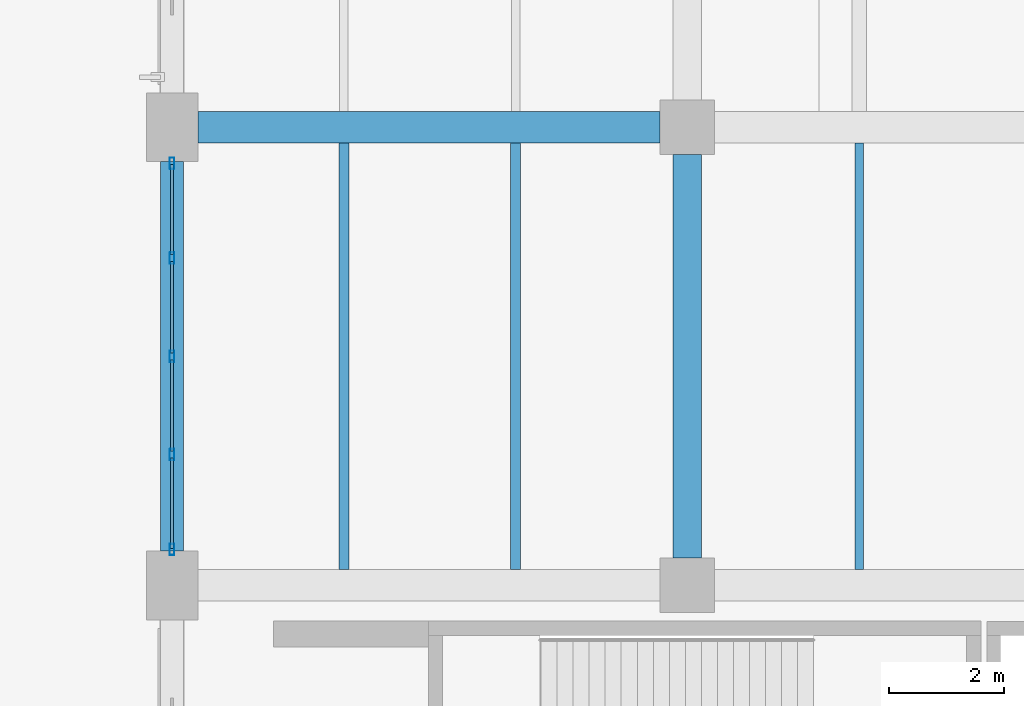
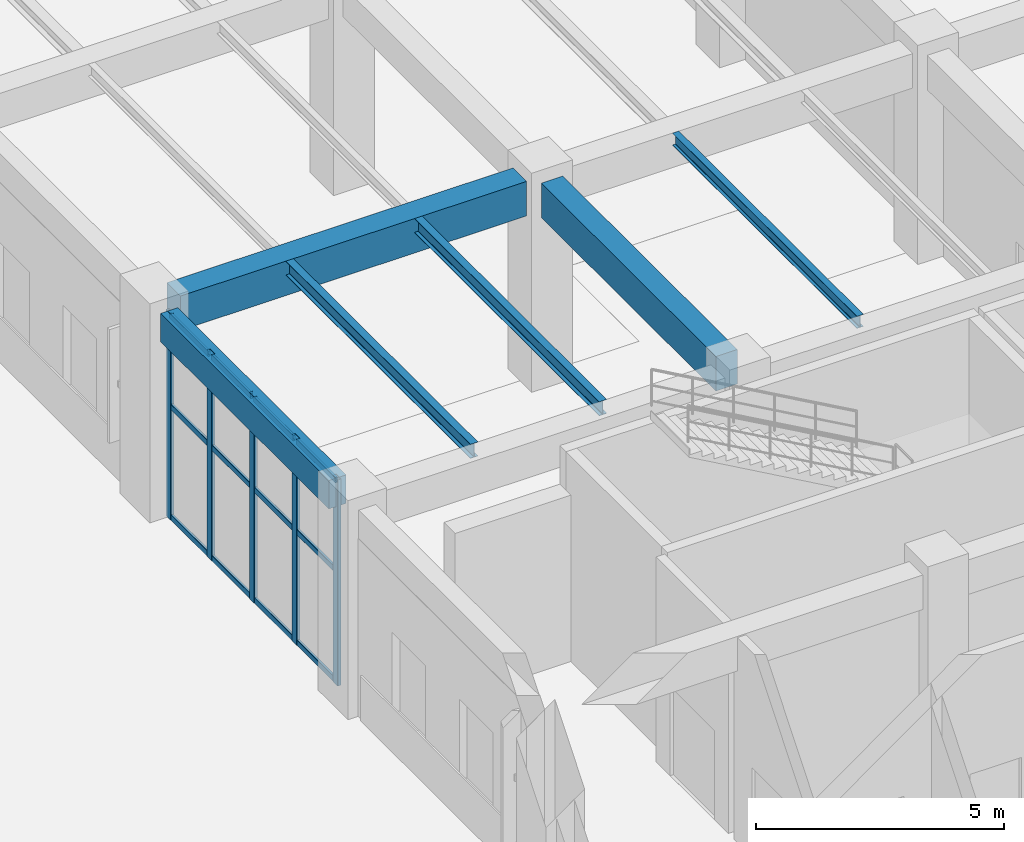
# One storey, part 69 of 121: 17 members, 6 beams, 1 element without a shape of its own.
"""IFC4 building model written with IfcOpenShell, lengths in metres."""

from ifc_helpers import new_model, si_unit, derived_unit, direction, frame, origin, origin_2d, place, context, subcontext, project, spatial, rectangle, hollow_rectangle, i_section, extrude, material, material_profile, profile_set, type_object, element, aggregate, save


model = new_model("IFC4")

# Units and contexts
model_context = context("Model", 3, precision=1e-05, world=origin(), true_north=direction((0.0, 1.0)))
body_context = subcontext(model_context, "Body", "Model", "MODEL_VIEW")
ifc_project = project(units=[si_unit("LENGTHUNIT", "METRE"), si_unit("AREAUNIT", "SQUARE_METRE"), si_unit("VOLUMEUNIT", "CUBIC_METRE"), si_unit("PLANEANGLEUNIT", "RADIAN"), si_unit("MASSUNIT", "GRAM", prefix="KILO"), derived_unit("THERMALTRANSMITTANCEUNIT", [(si_unit("MASSUNIT", "GRAM", prefix="KILO"), 1), (si_unit("TIMEUNIT", "SECOND"), -3), (si_unit("THERMODYNAMICTEMPERATUREUNIT", "KELVIN"), -1)])], contexts=[model_context])

# Site, building, storey
site_placement = place(None, origin())
site = spatial("IfcSite", under=ifc_project, at=site_placement, CompositionType="ELEMENT")
building_placement = place(site_placement, origin())
building = spatial("IfcBuilding", under=site, at=building_placement, Name="Zhenchuan Archway Interchange", CompositionType="ELEMENT")
storey_placement = place(building_placement, origin())
storey = spatial("IfcBuildingStorey", under=building, at=storey_placement, Name="L00", CompositionType="ELEMENT", Elevation=0.0)

# Beams
ifc_material_1 = material(Name="Concrete C40", Category="concrete")
ifc_material_profile_1 = material_profile(ifc_material_1, rectangle(XDim=0.5, YDim=0.85009765625, at=origin_2d()), Name="RC 500x850")
ifc_profile_set_1 = profile_set([ifc_material_profile_1], Name="Concrete C40")
beam_type_1 = type_object("IfcBeamType", Name="BM_RC_500x850", PredefinedType="BEAM", material=ifc_profile_set_1)
beam_1_placement = place(storey_placement, frame((153.0, 64.47509765625, 4.655029296875), z_axis=(0.0, 1.0, 0.0), x_axis=(-1.0, 0.0, 0.0)))
element("IfcBeam", 1, at=beam_1_placement, inside=storey, type_object=beam_type_1, Name="Beam 18:J-K (L00)", PredefinedType="BEAM", context=body_context, shape_type="SweptSolid", body=[
    extrude(rectangle(XDim=0.5, YDim=0.85009765625, at=origin_2d()), origin(), (0.0, 0.0, 1.0), 7.0498046875),
])
ifc_material_profile_2 = material_profile(ifc_material_1, rectangle(XDim=0.550048828125, YDim=0.85009765625, at=origin_2d()), Name="RC 550x850")
ifc_profile_set_2 = profile_set([ifc_material_profile_2], Name="Concrete C40")
beam_type_2 = type_object("IfcBeamType", Name="BM_RC_550x850", PredefinedType="BEAM", material=ifc_profile_set_2)
beam_2_placement = place(storey_placement, frame((144.449951171875, 72.0, 4.655029296875), z_axis=(1.0, 0.0, 0.0), x_axis=(0.0, 1.0, 0.0)))
element("IfcBeam", 2, at=beam_2_placement, inside=storey, type_object=beam_type_2, Name="Beam K:17-18 (L00)", PredefinedType="BEAM", context=body_context, shape_type="SweptSolid", body=[
    extrude(rectangle(XDim=0.550048828125, YDim=0.85009765625, at=origin_2d()), origin(), (0.0, 0.0, 1.0), 8.074951171875),
])

# Curtain wall, members
ifc_material_2 = material(Name="Anodised Aluminium", Category="aluminium")
curtain_wall_type = type_object("IfcCurtainWallType", Name="CW_UNIT_3", PredefinedType="NOTDEFINED", material=ifc_material_2)
curtain_wall_placement = place(storey_placement, origin())
curtain_wall = element("IfcCurtainWall", 3, at=curtain_wall_placement, inside=storey, type_object=curtain_wall_type, Name="Unitised curtain wall CW:L00:022", PredefinedType="NOTDEFINED")
ifc_material_profile_3 = material_profile(ifc_material_2, hollow_rectangle(XDim=0.080078125, YDim=0.199951171875, WallThickness=0.00439453125, InnerFilletRadius=0.00439453125, OuterFilletRadius=0.009033203125, at=origin_2d()), Name="ALU 200x80x4.5")
ifc_profile_set_3 = profile_set([ifc_material_profile_3], Name="Anodised Aluminium")
member_type_1 = type_object("IfcMemberType", Name="CW_MUL_200", PredefinedType="MULLION", material=ifc_profile_set_3)
member_1_placement = place(storey_placement, frame((144.0, 64.6279296875, 0.0), z_axis=(0.0, 0.0, 1.0), x_axis=(1.0, 0.0, 0.0)))
member_1 = element("IfcMember", 4, at=member_1_placement, type_object=member_type_1, Name="CW:L00:022 mullion 0", PredefinedType="MULLION", context=body_context, shape_type="SweptSolid", body=[
    extrude(hollow_rectangle(XDim=0.080078125, YDim=0.199951171875, WallThickness=0.00439453125, InnerFilletRadius=0.00439453125, OuterFilletRadius=0.009033203125, at=origin_2d()), origin(), (0.0, 0.0, 1.0), 5.080078125),
])
member_2_placement = place(storey_placement, frame((144.0, 66.283935546875, 0.0), z_axis=(0.0, 0.0, 1.0), x_axis=(1.0, 0.0, 0.0)))
member_2 = element("IfcMember", 5, at=member_2_placement, type_object=member_type_1, Name="CW:L00:022 mullion 1", PredefinedType="MULLION", context=body_context, shape_type="SweptSolid", body=[
    extrude(hollow_rectangle(XDim=0.080078125, YDim=0.199951171875, WallThickness=0.00439453125, InnerFilletRadius=0.00439453125, OuterFilletRadius=0.009033203125, at=origin_2d()), origin(), (0.0, 0.0, 1.0), 5.080078125),
])
member_3_placement = place(storey_placement, frame((144.0, 68.0, 0.0), z_axis=(0.0, 0.0, 1.0), x_axis=(1.0, 0.0, 0.0)))
member_3 = element("IfcMember", 6, at=member_3_placement, type_object=member_type_1, Name="CW:L00:022 mullion 2", PredefinedType="MULLION", context=body_context, shape_type="SweptSolid", body=[
    extrude(hollow_rectangle(XDim=0.080078125, YDim=0.199951171875, WallThickness=0.00439453125, InnerFilletRadius=0.00439453125, OuterFilletRadius=0.009033203125, at=origin_2d()), origin(), (0.0, 0.0, 1.0), 5.080078125),
])
member_4_placement = place(storey_placement, frame((144.0, 69.716064453125, 0.0), z_axis=(0.0, 0.0, 1.0), x_axis=(1.0, 0.0, 0.0)))
member_4 = element("IfcMember", 7, at=member_4_placement, type_object=member_type_1, Name="CW:L00:022 mullion 3", PredefinedType="MULLION", context=body_context, shape_type="SweptSolid", body=[
    extrude(hollow_rectangle(XDim=0.080078125, YDim=0.199951171875, WallThickness=0.00439453125, InnerFilletRadius=0.00439453125, OuterFilletRadius=0.009033203125, at=origin_2d()), origin(), (0.0, 0.0, 1.0), 5.080078125),
])
member_5_placement = place(storey_placement, frame((144.0, 71.3720703125, 0.0), z_axis=(0.0, 0.0, 1.0), x_axis=(1.0, 0.0, 0.0)))
member_5 = element("IfcMember", 8, at=member_5_placement, type_object=member_type_1, Name="CW:L00:022 mullion 4", PredefinedType="MULLION", context=body_context, shape_type="SweptSolid", body=[
    extrude(hollow_rectangle(XDim=0.080078125, YDim=0.199951171875, WallThickness=0.00439453125, InnerFilletRadius=0.00439453125, OuterFilletRadius=0.009033203125, at=origin_2d()), origin(), (0.0, 0.0, 1.0), 5.080078125),
])
ifc_material_profile_4 = material_profile(ifc_material_2, hollow_rectangle(XDim=0.06005859375, YDim=0.139892578125, WallThickness=0.00341796875, InnerFilletRadius=0.00341796875, OuterFilletRadius=0.007080078125, at=origin_2d()), Name="ALU 140x60x3.5")
ifc_profile_set_4 = profile_set([ifc_material_profile_4], Name="Anodised Aluminium")
member_type_2 = type_object("IfcMemberType", Name="CW_TRN_140", PredefinedType="USERDEFINED", material=ifc_profile_set_4)
member_6_placement = place(storey_placement, frame((144.0, 64.64794921875, 0.06005859375), z_axis=(0.0, 1.0, 0.0), x_axis=(-1.0, 0.0, 0.0)))
member_6 = element("IfcMember", 9, at=member_6_placement, type_object=member_type_2, Name="CW:L00:022 transom 0-1", ObjectType="TRANSOM", PredefinedType="USERDEFINED", context=body_context, shape_type="SweptSolid", body=[
    extrude(hollow_rectangle(XDim=0.06005859375, YDim=0.139892578125, WallThickness=0.00341796875, InnerFilletRadius=0.00341796875, OuterFilletRadius=0.007080078125, at=origin_2d()), origin(), (0.0, 0.0, 1.0), 1.576171875),
])
member_7_placement = place(storey_placement, frame((144.0, 64.64794921875, 2.782958984375), z_axis=(0.0, 1.0, 0.0), x_axis=(-1.0, 0.0, 0.0)))
member_7 = element("IfcMember", 10, at=member_7_placement, type_object=member_type_2, Name="CW:L00:022 transom 0-2", ObjectType="TRANSOM", PredefinedType="USERDEFINED", context=body_context, shape_type="SweptSolid", body=[
    extrude(hollow_rectangle(XDim=0.06005859375, YDim=0.139892578125, WallThickness=0.00341796875, InnerFilletRadius=0.00341796875, OuterFilletRadius=0.007080078125, at=origin_2d()), origin(), (0.0, 0.0, 1.0), 1.576171875),
])
member_8_placement = place(storey_placement, frame((144.0, 64.64794921875, 5.0), z_axis=(0.0, 1.0, 0.0), x_axis=(-1.0, 0.0, 0.0)))
member_8 = element("IfcMember", 11, at=member_8_placement, type_object=member_type_2, Name="CW:L00:022 transom 0-3", ObjectType="TRANSOM", PredefinedType="USERDEFINED", context=body_context, shape_type="SweptSolid", body=[
    extrude(hollow_rectangle(XDim=0.06005859375, YDim=0.139892578125, WallThickness=0.00341796875, InnerFilletRadius=0.00341796875, OuterFilletRadius=0.007080078125, at=origin_2d()), origin(), (0.0, 0.0, 1.0), 1.576171875),
])
member_9_placement = place(storey_placement, frame((144.0, 66.343994140625, 0.06005859375), z_axis=(0.0, 1.0, 0.0), x_axis=(-1.0, 0.0, 0.0)))
member_9 = element("IfcMember", 12, at=member_9_placement, type_object=member_type_2, Name="CW:L00:022 transom 1-1", ObjectType="TRANSOM", PredefinedType="USERDEFINED", context=body_context, shape_type="SweptSolid", body=[
    extrude(hollow_rectangle(XDim=0.06005859375, YDim=0.139892578125, WallThickness=0.00341796875, InnerFilletRadius=0.00341796875, OuterFilletRadius=0.007080078125, at=origin_2d()), origin(), (0.0, 0.0, 1.0), 1.595947265625),
])
member_10_placement = place(storey_placement, frame((144.0, 66.343994140625, 2.782958984375), z_axis=(0.0, 1.0, 0.0), x_axis=(-1.0, 0.0, 0.0)))
member_10 = element("IfcMember", 13, at=member_10_placement, type_object=member_type_2, Name="CW:L00:022 transom 1-2", ObjectType="TRANSOM", PredefinedType="USERDEFINED", context=body_context, shape_type="SweptSolid", body=[
    extrude(hollow_rectangle(XDim=0.06005859375, YDim=0.139892578125, WallThickness=0.00341796875, InnerFilletRadius=0.00341796875, OuterFilletRadius=0.007080078125, at=origin_2d()), origin(), (0.0, 0.0, 1.0), 1.595947265625),
])
member_11_placement = place(storey_placement, frame((144.0, 66.343994140625, 5.0), z_axis=(0.0, 1.0, 0.0), x_axis=(-1.0, 0.0, 0.0)))
member_11 = element("IfcMember", 14, at=member_11_placement, type_object=member_type_2, Name="CW:L00:022 transom 1-3", ObjectType="TRANSOM", PredefinedType="USERDEFINED", context=body_context, shape_type="SweptSolid", body=[
    extrude(hollow_rectangle(XDim=0.06005859375, YDim=0.139892578125, WallThickness=0.00341796875, InnerFilletRadius=0.00341796875, OuterFilletRadius=0.007080078125, at=origin_2d()), origin(), (0.0, 0.0, 1.0), 1.595947265625),
])
member_12_placement = place(storey_placement, frame((144.0, 68.06005859375, 0.06005859375), z_axis=(0.0, 1.0, 0.0), x_axis=(-1.0, 0.0, 0.0)))
member_12 = element("IfcMember", 15, at=member_12_placement, type_object=member_type_2, Name="CW:L00:022 transom 2-1", ObjectType="TRANSOM", PredefinedType="USERDEFINED", context=body_context, shape_type="SweptSolid", body=[
    extrude(hollow_rectangle(XDim=0.06005859375, YDim=0.139892578125, WallThickness=0.00341796875, InnerFilletRadius=0.00341796875, OuterFilletRadius=0.007080078125, at=origin_2d()), origin(), (0.0, 0.0, 1.0), 1.595947265625),
])
member_13_placement = place(storey_placement, frame((144.0, 68.06005859375, 2.782958984375), z_axis=(0.0, 1.0, 0.0), x_axis=(-1.0, 0.0, 0.0)))
member_13 = element("IfcMember", 16, at=member_13_placement, type_object=member_type_2, Name="CW:L00:022 transom 2-2", ObjectType="TRANSOM", PredefinedType="USERDEFINED", context=body_context, shape_type="SweptSolid", body=[
    extrude(hollow_rectangle(XDim=0.06005859375, YDim=0.139892578125, WallThickness=0.00341796875, InnerFilletRadius=0.00341796875, OuterFilletRadius=0.007080078125, at=origin_2d()), origin(), (0.0, 0.0, 1.0), 1.595947265625),
])
member_14_placement = place(storey_placement, frame((144.0, 68.06005859375, 5.0), z_axis=(0.0, 1.0, 0.0), x_axis=(-1.0, 0.0, 0.0)))
member_14 = element("IfcMember", 17, at=member_14_placement, type_object=member_type_2, Name="CW:L00:022 transom 2-3", ObjectType="TRANSOM", PredefinedType="USERDEFINED", context=body_context, shape_type="SweptSolid", body=[
    extrude(hollow_rectangle(XDim=0.06005859375, YDim=0.139892578125, WallThickness=0.00341796875, InnerFilletRadius=0.00341796875, OuterFilletRadius=0.007080078125, at=origin_2d()), origin(), (0.0, 0.0, 1.0), 1.595947265625),
])
member_15_placement = place(storey_placement, frame((144.0, 69.77587890625, 0.06005859375), z_axis=(0.0, 1.0, 0.0), x_axis=(-1.0, 0.0, 0.0)))
member_15 = element("IfcMember", 18, at=member_15_placement, type_object=member_type_2, Name="CW:L00:022 transom 3-1", ObjectType="TRANSOM", PredefinedType="USERDEFINED", context=body_context, shape_type="SweptSolid", body=[
    extrude(hollow_rectangle(XDim=0.06005859375, YDim=0.139892578125, WallThickness=0.00341796875, InnerFilletRadius=0.00341796875, OuterFilletRadius=0.007080078125, at=origin_2d()), origin(), (0.0, 0.0, 1.0), 1.576171875),
])
member_16_placement = place(storey_placement, frame((144.0, 69.77587890625, 2.782958984375), z_axis=(0.0, 1.0, 0.0), x_axis=(-1.0, 0.0, 0.0)))
member_16 = element("IfcMember", 19, at=member_16_placement, type_object=member_type_2, Name="CW:L00:022 transom 3-2", ObjectType="TRANSOM", PredefinedType="USERDEFINED", context=body_context, shape_type="SweptSolid", body=[
    extrude(hollow_rectangle(XDim=0.06005859375, YDim=0.139892578125, WallThickness=0.00341796875, InnerFilletRadius=0.00341796875, OuterFilletRadius=0.007080078125, at=origin_2d()), origin(), (0.0, 0.0, 1.0), 1.576171875),
])
member_17_placement = place(storey_placement, frame((144.0, 69.77587890625, 5.0), z_axis=(0.0, 1.0, 0.0), x_axis=(-1.0, 0.0, 0.0)))
member_17 = element("IfcMember", 20, at=member_17_placement, type_object=member_type_2, Name="CW:L00:022 transom 3-3", ObjectType="TRANSOM", PredefinedType="USERDEFINED", context=body_context, shape_type="SweptSolid", body=[
    extrude(hollow_rectangle(XDim=0.06005859375, YDim=0.139892578125, WallThickness=0.00341796875, InnerFilletRadius=0.00341796875, OuterFilletRadius=0.007080078125, at=origin_2d()), origin(), (0.0, 0.0, 1.0), 1.576171875),
])
aggregate(curtain_wall, [member_1, member_2, member_3, member_4, member_5, member_6, member_7, member_8, member_9, member_10, member_11, member_12, member_13, member_14, member_15, member_16, member_17])

# Beams
ifc_material_3 = material(Name="Steel Q355", Category="steel")
ifc_material_profile_5 = material_profile(ifc_material_3, i_section(OverallWidth=0.14990234375, OverallDepth=0.300048828125, WebThickness=0.006591796875, FlangeThickness=0.009033203125, FilletRadius=0.012939453125, at=origin_2d()), Name="HN 300x150")
ifc_profile_set_5 = profile_set([ifc_material_profile_5], Name="Steel Q355")
beam_type_3 = type_object("IfcBeamType", Name="JST_STL_HN300", PredefinedType="JOIST", material=ifc_profile_set_5)
beam_3_placement = place(storey_placement, frame((156.0, 64.27490234375, 4.929931640625), z_axis=(0.0, 1.0, 0.0), x_axis=(-1.0, 0.0, 0.0)))
element("IfcBeam", 21, at=beam_3_placement, inside=storey, type_object=beam_type_3, Name="Secondary joist 18-19/J-K #1 (L00)", PredefinedType="JOIST", context=body_context, shape_type="SweptSolid", body=[
    extrude(i_section(OverallWidth=0.14990234375, OverallDepth=0.300048828125, WebThickness=0.006591796875, FlangeThickness=0.009033203125, FilletRadius=0.012939453125, at=origin_2d()), origin(), (0.0, 0.0, 1.0), 7.4501953125),
])
ifc_material_profile_6 = material_profile(ifc_material_3, i_section(OverallWidth=0.175048828125, OverallDepth=0.35009765625, WebThickness=0.007080078125, FlangeThickness=0.010986328125, FilletRadius=0.013916015625, at=origin_2d()), Name="HN 350x175")
ifc_profile_set_6 = profile_set([ifc_material_profile_6], Name="Steel Q355")
beam_type_4 = type_object("IfcBeamType", Name="JST_STL_HN350", PredefinedType="JOIST", material=ifc_profile_set_6)
for number, where, z_axis, x_axis, name in (
    (22, (147.0, 64.27490234375, 4.905029296875), (0.0, 1.0, 0.0), (-1.0, 0.0, 0.0), "Secondary joist 17-18/J-K #1 (L00)"),
    (23, (150.0, 64.27490234375, 4.905029296875), (0.0, 1.0, 0.0), (-1.0, 0.0, 0.0), "Secondary joist 17-18/J-K #2 (L00)"),
):
    element("IfcBeam", number, at=place(storey_placement, frame(where, z_axis=z_axis, x_axis=x_axis)), inside=storey, type_object=beam_type_4, Name=name, PredefinedType="JOIST", context=body_context, shape_type="SweptSolid", body=[
        extrude(i_section(OverallWidth=0.175048828125, OverallDepth=0.35009765625, WebThickness=0.007080078125, FlangeThickness=0.010986328125, FilletRadius=0.013916015625, at=origin_2d()), origin(), (0.0, 0.0, 1.0), 7.4501953125),
    ])
ifc_material_profile_7 = material_profile(ifc_material_1, rectangle(XDim=0.39990234375, YDim=0.699951171875, at=origin_2d()), Name="RC 400x700")
ifc_profile_set_7 = profile_set([ifc_material_profile_7], Name="Concrete C40")
beam_type_5 = type_object("IfcBeamType", Name="SP_RC_400x700", PredefinedType="SPANDREL", material=ifc_profile_set_7)
beam_4_placement = place(storey_placement, frame((144.0, 64.60009765625, 4.72998046875), z_axis=(0.0, 1.0, 0.0), x_axis=(-1.0, 0.0, 0.0)))
element("IfcBeam", 24, at=beam_4_placement, inside=storey, type_object=beam_type_5, Name="Beam 17:J-K (L00)", PredefinedType="SPANDREL", context=body_context, shape_type="SweptSolid", body=[
    extrude(rectangle(XDim=0.39990234375, YDim=0.699951171875, at=origin_2d()), origin(), (0.0, 0.0, 1.0), 6.7998046875),
])

save(model, "model.ifc")
